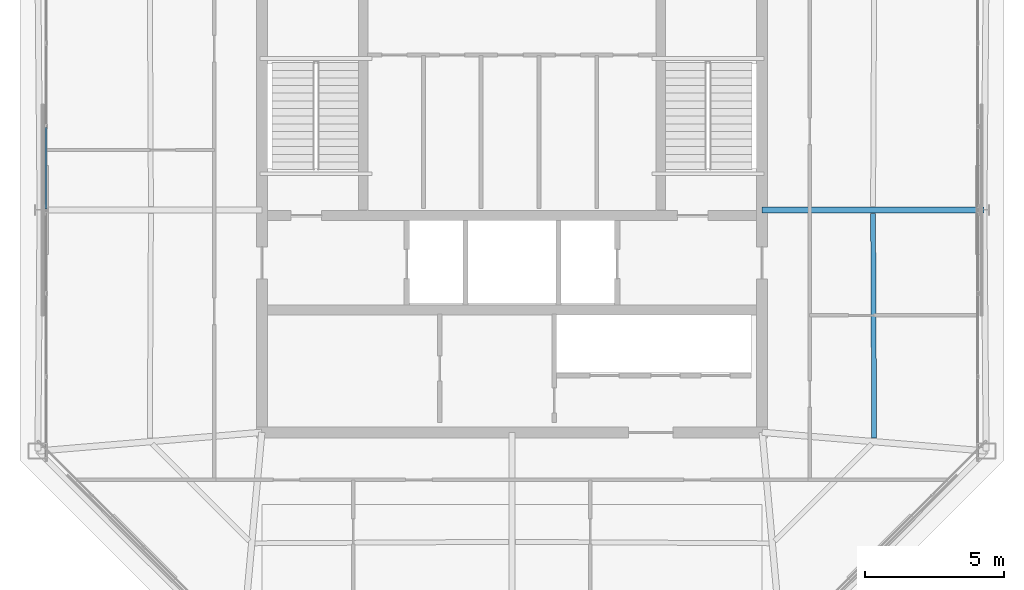
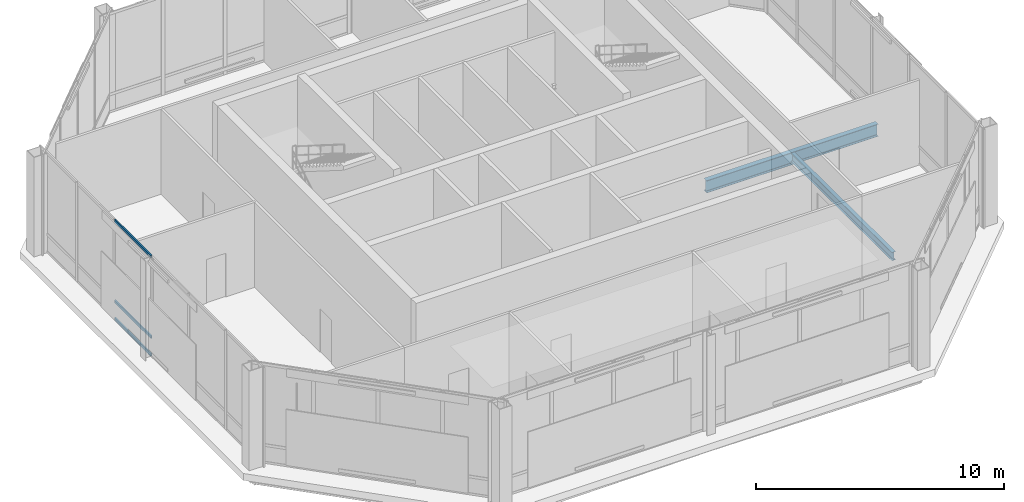
# One storey, part 7 of 21: 3 members, 2 beams, 1 element without a shape of its own.
"""IFC4 building model written with IfcOpenShell, lengths in metres."""

from ifc_helpers import new_model, si_unit, direction, frame, origin, origin_2d, place, context, subcontext, project, spatial, hollow_rectangle, i_section, extrude, material, layer, layer_set, material_profile, profile_set, type_object, element, aggregate, save


model = new_model("IFC4")

# Units and contexts
model_context = context("Model", 3, precision=1e-05, world=origin(), true_north=direction((0.0, 1.0)))
body_context = subcontext(model_context, "Body", "Model", "MODEL_VIEW")
ifc_project = project(units=[si_unit("LENGTHUNIT", "METRE"), si_unit("AREAUNIT", "SQUARE_METRE"), si_unit("VOLUMEUNIT", "CUBIC_METRE"), si_unit("PLANEANGLEUNIT", "RADIAN"), si_unit("MASSUNIT", "GRAM", prefix="KILO")], contexts=[model_context])

# Site, building, storey
site_placement = place(None, origin())
site = spatial("IfcSite", under=ifc_project, at=site_placement, CompositionType="ELEMENT")
building_placement = place(site_placement, origin())
building = spatial("IfcBuilding", under=site, at=building_placement, Name="Caelvoria Tower", CompositionType="ELEMENT")
storey_placement = place(building_placement, frame((0.0, 0.0, 279.0)))
storey = spatial("IfcBuildingStorey", under=building, at=storey_placement, Name="L74", CompositionType="ELEMENT", Elevation=279.0)

# Curtain wall, members
ifc_material_1 = material(Name="Anodised Bronze Aluminium and Low-E Glass", Category="aluminium")
ifc_layer = layer(ifc_material_1, 0.205078125, Name="Anodised Bronze Aluminium and Low-E Glass")
ifc_layer_set = layer_set([ifc_layer], Name="CW System 5 Observation Panorama Low-Iron Facade - Anodised Bronze Aluminium and Low-E Glass")
curtain_wall_type = type_object("IfcCurtainWallType", Name="CW System 5 Observation Panorama Low-Iron Facade", PredefinedType="NOTDEFINED", material=ifc_layer_set)
curtain_wall_placement = place(storey_placement, origin())
curtain_wall = element("IfcCurtainWall", 1, at=curtain_wall_placement, inside=storey, type_object=curtain_wall_type, Name="CW-05 Curtain Wall L74-E6", PredefinedType="NOTDEFINED")
ifc_material_2 = material(Name="Anodised Bronze Architectural Aluminium", Category="aluminium")
ifc_material_profile_1 = material_profile(ifc_material_2, hollow_rectangle(XDim=0.06494140625, YDim=0.1298828125, WallThickness=0.00341796875, at=origin_2d()), Name="Anodised Bronze Architectural Aluminium")
ifc_profile_set_1 = profile_set([ifc_material_profile_1], Name="CW_TRAN_65X130 - Anodised Bronze Architectural Aluminium")
member_type = type_object("IfcMemberType", Name="Curtain Wall Transom 65x130 Bronze Aluminium", PredefinedType="USERDEFINED", material=ifc_profile_set_1)
member_1_placement = place(storey_placement, frame((29.239990234375, 34.967529296875, 0.032470703125), z_axis=(0.0, -1.0, 0.0), x_axis=(1.0, 0.0, 0.0)))
member_1 = element("IfcMember", 2, at=member_1_placement, type_object=member_type, Name="CW-05 transom 3.1", ObjectType="TRANSOM", PredefinedType="USERDEFINED", context=body_context, shape_type="SweptSolid", body=[
    extrude(hollow_rectangle(XDim=0.06494140625, YDim=0.1298828125, WallThickness=0.00341796875, at=origin_2d()), origin(), (0.0, 0.0, 1.0), 2.93505859375),
])
member_2_placement = place(storey_placement, frame((29.239990234375, 34.967529296875, 0.89990234375), z_axis=(0.0, -1.0, 0.0), x_axis=(1.0, 0.0, 0.0)))
member_2 = element("IfcMember", 3, at=member_2_placement, type_object=member_type, Name="CW-05 transom 3.2", ObjectType="TRANSOM", PredefinedType="USERDEFINED", context=body_context, shape_type="SweptSolid", body=[
    extrude(hollow_rectangle(XDim=0.06494140625, YDim=0.1298828125, WallThickness=0.00341796875, at=origin_2d()), origin(), (0.0, 0.0, 1.0), 2.93505859375),
])
member_3_placement = place(storey_placement, frame((29.239990234375, 34.967529296875, 4.867431640625), z_axis=(0.0, -1.0, 0.0), x_axis=(1.0, 0.0, 0.0)))
member_3 = element("IfcMember", 4, at=member_3_placement, type_object=member_type, Name="CW-05 transom 3.3", ObjectType="TRANSOM", PredefinedType="USERDEFINED", context=body_context, shape_type="SweptSolid", body=[
    extrude(hollow_rectangle(XDim=0.06494140625, YDim=0.1298828125, WallThickness=0.00341796875, at=origin_2d()), origin(), (0.0, 0.0, 1.0), 2.93505859375),
])
aggregate(curtain_wall, [member_1, member_2, member_3])

# Beams
ifc_material_3 = material(Name="Structural Steel ASTM A992 Gr.50", Category="steel")
ifc_material_profile_2 = material_profile(ifc_material_3, i_section(OverallWidth=0.22802734375, OverallDepth=0.60302734375, WebThickness=0.010498046875, FlangeThickness=0.014892578125, FilletRadius=0.01806640625, at=origin_2d()), Name="Structural Steel ASTM A992 Gr.50")
ifc_profile_set_2 = profile_set([ifc_material_profile_2], Name="W610X101 - Structural Steel ASTM A992 Gr.50")
beam_type_1 = type_object("IfcBeamType", Name="Primary Floor Girder W610X101", PredefinedType="BEAM", material=ifc_profile_set_2)
beam_1_placement = place(storey_placement, frame((55.0, 32.0, -0.6416015625), z_axis=(1.0, 0.0, 0.0), x_axis=(0.0, 1.0, 0.0)))
element("IfcBeam", 5, at=beam_1_placement, inside=storey, type_object=beam_type_1, Name="Primary Floor Girder L74-04", PredefinedType="BEAM", context=body_context, shape_type="SweptSolid", body=[
    extrude(i_section(OverallWidth=0.22802734375, OverallDepth=0.60302734375, WebThickness=0.010498046875, FlangeThickness=0.014892578125, FilletRadius=0.01806640625, at=origin_2d()), origin(), (0.0, 0.0, 1.0), 7.97998046875),
])
ifc_material_profile_3 = material_profile(ifc_material_3, i_section(OverallWidth=0.177978515625, OverallDepth=0.406982421875, WebThickness=0.0078125, FlangeThickness=0.0126953125, FilletRadius=0.013916015625, at=origin_2d()), Name="Structural Steel ASTM A992 Gr.50")
ifc_profile_set_3 = profile_set([ifc_material_profile_3], Name="W410X60 - Structural Steel ASTM A992 Gr.50")
beam_type_2 = type_object("IfcBeamType", Name="Secondary Floor Beam W410X60", PredefinedType="BEAM", material=ifc_profile_set_3)
beam_2_placement = place(storey_placement, frame((59.028564453125, 23.7880859375, -0.54345703125), z_axis=(-0.00470952391, 0.999988910131, 0.0), x_axis=(-0.999988910131, -0.00470952391, 0.0)))
element("IfcBeam", 6, at=beam_2_placement, inside=storey, type_object=beam_type_2, Name="Secondary Floor Beam L74-03", PredefinedType="BEAM", context=body_context, shape_type="SweptSolid", body=[
    extrude(i_section(OverallWidth=0.177978515625, OverallDepth=0.406982421875, WebThickness=0.0078125, FlangeThickness=0.0126953125, FilletRadius=0.013916015625, at=origin_2d()), origin(), (0.0, 0.0, 1.0), 8.0869140625),
])

save(model, "model.ifc")
